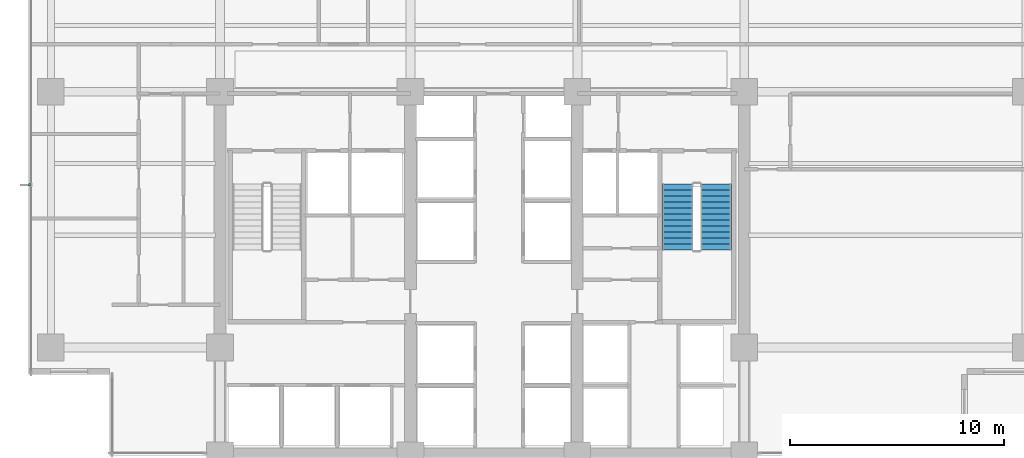
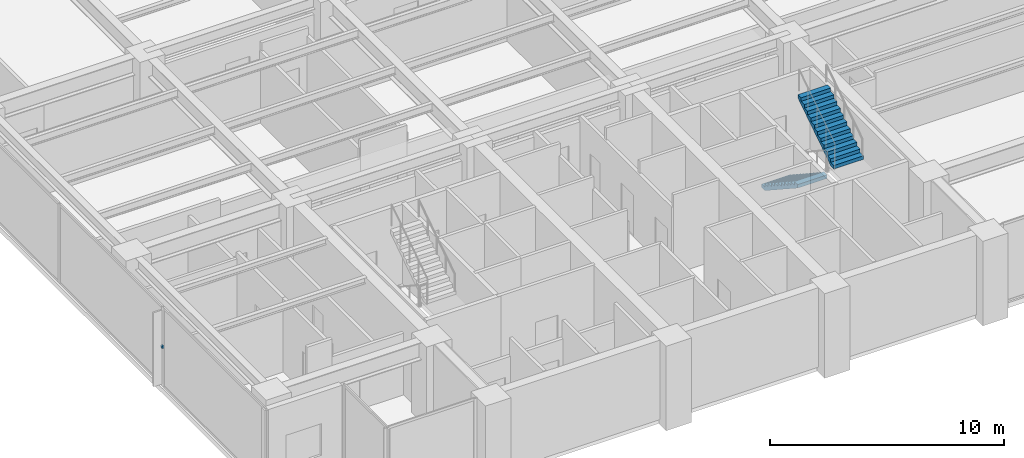
# One storey, part 11 of 16: 2 stair flights, 1 discrete accessory, 1 element without a shape of its own.
"""IFC4 building model written with IfcOpenShell, lengths in metres."""

from ifc_helpers import new_model, si_unit, direction, frame, origin, place, context, subcontext, project, spatial, polyline, outline, extrude, material, layer, layer_set, type_object, element, aggregate, save


model = new_model("IFC4")

# Units and contexts
model_context = context("Model", 3, precision=1e-05, world=origin(), true_north=direction((0.0, 1.0)))
body_context = subcontext(model_context, "Body", "Model", "MODEL_VIEW")
ifc_project = project(units=[si_unit("LENGTHUNIT", "METRE"), si_unit("AREAUNIT", "SQUARE_METRE"), si_unit("VOLUMEUNIT", "CUBIC_METRE"), si_unit("PLANEANGLEUNIT", "RADIAN"), si_unit("MASSUNIT", "GRAM", prefix="KILO")], contexts=[model_context])

# Site, building, storey
site_placement = place(None, origin())
site = spatial("IfcSite", under=ifc_project, at=site_placement, CompositionType="ELEMENT")
building_placement = place(site_placement, origin())
building = spatial("IfcBuilding", under=site, at=building_placement, Name="Qalmaran Belvedere Hotel", CompositionType="ELEMENT")
storey_placement = place(building_placement, frame((0.0, 0.0, 83.800048828125)))
storey = spatial("IfcBuildingStorey", under=building, at=storey_placement, Name="L20", CompositionType="ELEMENT", Elevation=83.800048828125)

# Stair, stair flights
ifc_material_1 = material(Name="Concrete C40/50", Category="concrete")
stair_type = type_object("IfcStairType", Name="STR-ST-2-1450-R1833", PredefinedType="HALF_TURN_STAIR", material=ifc_material_1)
stair_placement = place(storey_placement, origin())
stair = element("IfcStair", 1, at=stair_placement, inside=storey, type_object=stair_type, Name="L20 East Core Exit Stair ST-2", PredefinedType="HALF_TURN_STAIR")
ifc_layer = layer(ifc_material_1, 0.14990234375, Name="Concrete C40/50")
ifc_layer_set = layer_set([ifc_layer], Name="Concrete C40/50")
stair_flight_type = type_object("IfcStairFlightType", Name="STF-ST-2-1450-R1833", PredefinedType="STRAIGHT", material=ifc_layer_set)
stair_flight_1_placement = place(storey_placement, frame((41.68505859375, 16.18994140625, 0.0), z_axis=(0.0, 0.0, 1.0), x_axis=(0.0, -1.0, 0.0)))
stair_flight_1 = element("IfcStairFlight", 2, at=stair_flight_1_placement, type_object=stair_flight_type, Name="ST-2 flight 1", NumberOfRisers=12, NumberOfTreads=11, PredefinedType="STRAIGHT", RiserHeight=0.183333333, TreadLength=0.28, context=body_context, shape_type="SweptSolid", body=[
    extrude(outline(polyline([(0.0, 0.0), (0.0, 0.183349609375), (0.280029296875, 0.183349609375), (0.280029296875, 0.36669921875), (0.56005859375, 0.36669921875), (0.56005859375, 0.550048828125), (0.840087890625, 0.550048828125), (0.840087890625, 0.7333984375), (1.1201171875, 0.7333984375), (1.1201171875, 0.916748046875), (1.39990234375, 0.916748046875), (1.39990234375, 1.10009765625), (1.679931640625, 1.10009765625), (1.679931640625, 1.283447265625), (1.9599609375, 1.283447265625), (1.9599609375, 1.466552734375), (2.239990234375, 1.466552734375), (2.239990234375, 1.64990234375), (2.52001953125, 1.64990234375), (2.52001953125, 1.833251953125), (2.800048828125, 1.833251953125), (2.800048828125, 2.0166015625), (3.080078125, 2.0166015625), (3.080078125, 2.199951171875), (3.080078125, 1.83740234375), (0.273681640625, 0.0), (0.0, 0.0)])), frame((0.0, 0.72509765625, 0.0), z_axis=(0.0, -1.0, 0.0), x_axis=(1.0, 0.0, 0.0)), (0.0, 0.0, 1.0), 1.449951171875),
])
stair_flight_2_placement = place(storey_placement, frame((43.47509765625, 13.110107421875, 2.199951171875), z_axis=(0.0, 0.0, 1.0), x_axis=(0.0, 1.0, 0.0)))
stair_flight_2 = element("IfcStairFlight", 3, at=stair_flight_2_placement, type_object=stair_flight_type, Name="ST-2 flight 2", NumberOfRisers=12, NumberOfTreads=11, PredefinedType="STRAIGHT", RiserHeight=0.183333333, TreadLength=0.28, context=body_context, shape_type="SweptSolid", body=[
    extrude(outline(polyline([(0.0, 0.0), (0.0, 0.183349609375), (0.280029296875, 0.183349609375), (0.280029296875, 0.36669921875), (0.56005859375, 0.36669921875), (0.56005859375, 0.550048828125), (0.840087890625, 0.550048828125), (0.840087890625, 0.7333984375), (1.1201171875, 0.7333984375), (1.1201171875, 0.916748046875), (1.39990234375, 0.916748046875), (1.39990234375, 1.10009765625), (1.679931640625, 1.10009765625), (1.679931640625, 1.283447265625), (1.9599609375, 1.283447265625), (1.9599609375, 1.466552734375), (2.239990234375, 1.466552734375), (2.239990234375, 1.64990234375), (2.52001953125, 1.64990234375), (2.52001953125, 1.833251953125), (2.800048828125, 1.833251953125), (2.800048828125, 2.0166015625), (3.080078125, 2.0166015625), (3.080078125, 2.199951171875), (3.080078125, 1.83740234375), (0.273681640625, 0.0), (0.0, 0.0)])), frame((0.0, 0.72509765625, 0.0), z_axis=(0.0, -1.0, 0.0), x_axis=(1.0, 0.0, 0.0)), (0.0, 0.0, 1.0), 1.449951171875),
])
aggregate(stair, [stair_flight_1, stair_flight_2])

# Discrete accessory
ifc_material_2 = material(Name="Stainless Steel 1.4401", Category="steel")
discrete_accessory_type = type_object("IfcDiscreteAccessoryType", Name="BRK-FIN-SS316", PredefinedType="BRACKET", material=ifc_material_2)
discrete_accessory_placement = place(storey_placement, frame((0.0, 0.0, 2.02001953125)))
element("IfcDiscreteAccessory", 4, at=discrete_accessory_placement, inside=storey, type_object=discrete_accessory_type, Name="L20 Fin Bracket 3", PredefinedType="BRACKET", context=body_context, shape_type="SweptSolid", body=[
    extrude(outline(polyline([(11.455078125, 16.205078125), (11.360107421875, 16.205078125), (11.360107421875, 16.094970703125), (11.455078125, 16.094970703125), (11.455078125, 16.205078125)])), origin(), (0.0, 0.0, 1.0), 0.139892578125),
])

save(model, "model.ifc")
